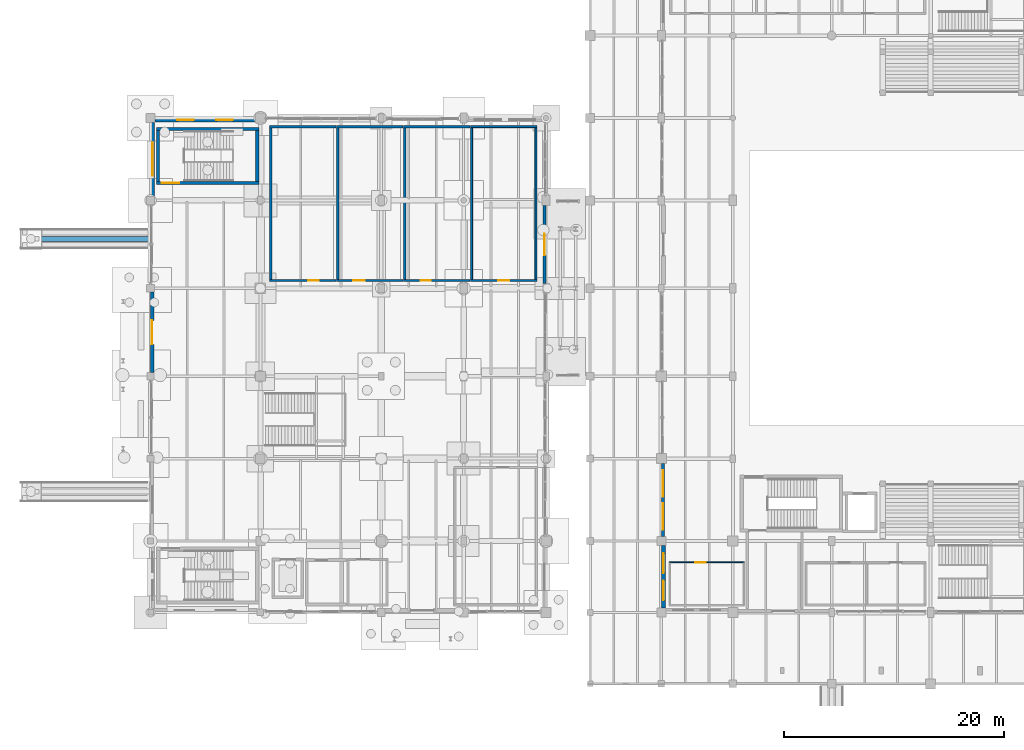
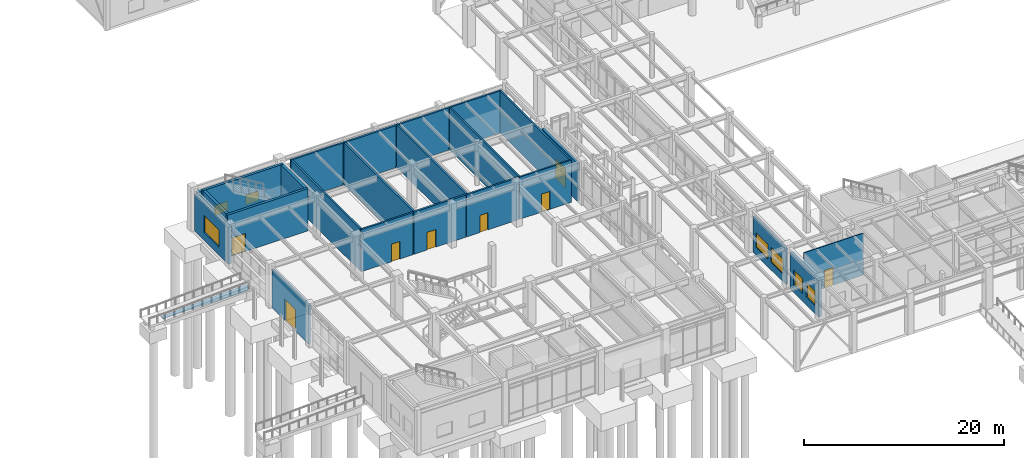
# One storey, part 172 of 203: 25 walls, 8 doors, 7 windows, 15 openings.
"""IFC4 building model written with IfcOpenShell, lengths in metres."""

from ifc_helpers import new_model, si_unit, direction, frame, frame_2d, origin, place, context, subcontext, project, spatial, polyline, rectangle, outline, extrude, material, layer, layer_set, type_object, element, fill, save


model = new_model("IFC4")

# Units and contexts
model_context = context("Model", 3, precision=1e-05, world=origin(), true_north=direction((0.0, 1.0)))
body_context = subcontext(model_context, "Body", "Model", "MODEL_VIEW")
ifc_project = project(units=[si_unit("LENGTHUNIT", "METRE"), si_unit("AREAUNIT", "SQUARE_METRE"), si_unit("VOLUMEUNIT", "CUBIC_METRE"), si_unit("PLANEANGLEUNIT", "RADIAN"), si_unit("MASSUNIT", "GRAM", prefix="KILO"), si_unit("THERMODYNAMICTEMPERATUREUNIT", "KELVIN"), si_unit("POWERUNIT", "WATT")], contexts=[model_context])

# Site, building, storey
site_placement = place(None, origin())
site = spatial("IfcSite", under=ifc_project, at=site_placement, CompositionType="ELEMENT")
building_placement = place(site_placement, origin())
building = spatial("IfcBuilding", under=site, at=building_placement, Name="Tepalcoro Natatorium and Aquatics Centre", CompositionType="ELEMENT")
storey_placement = place(building_placement, origin())
storey = spatial("IfcBuildingStorey", under=building, at=storey_placement, Name="L00", CompositionType="ELEMENT", Elevation=0.0)

# Wall, openings, windows
ifc_material_1 = material(Name="Precast Concrete C45/55 (fc 45 MPa)", Category="concrete")
ifc_layer_1 = layer(ifc_material_1, 0.260009765625)
ifc_layer_set_1 = layer_set([ifc_layer_1], Name="Precast Concrete C45/55 (fc 45 MPa)")
wall_type_1 = type_object("IfcWallType", Name="WL_EXT_GABLE_260", PredefinedType="SOLIDWALL", material=ifc_layer_set_1)
wall_1_placement = place(storey_placement, frame((46.6298828125, 13.428955078125, 0.0), z_axis=(0.0, 0.0, 1.0), x_axis=(0.0, 1.0, 0.0)))
wall_1 = element("IfcWall", 1, at=wall_1_placement, inside=storey, type_object=wall_type_1, Name="V1 L00 W Volcanic Basalt Envelope Wall", PredefinedType="SOLIDWALL", context=body_context, shape_type="SweptSolid", body=[
    extrude(rectangle(XDim=6.616943359375, YDim=0.260009765625, at=frame_2d((3.30859375, 0.0))), origin(), (0.0, 0.0, 1.0), 4.368896484375),
])
opening_1_placement = place(wall_1_placement, frame((0.605712890625, 0.0, 0.949951171875)))
opening_1 = element("IfcOpeningElement", 2, at=opening_1_placement, cuts=wall_1, Name="Opening W0008A", PredefinedType="OPENING", context=body_context, shape_type="SweptSolid", body=[
    extrude(rectangle(XDim=2.39990234375, YDim=1.800048828125, at=frame_2d((1.199951171875, 0.89990234375))), frame((0.0, 0.14208984375, 0.0), z_axis=(0.0, -1.0, 0.0), x_axis=(1.0, 0.0, 0.0)), (0.0, 0.0, 1.0), 0.283935546875),
])
opening_2_placement = place(wall_1_placement, frame((3.611328125, 0.0, 0.949951171875)))
opening_2 = element("IfcOpeningElement", 3, at=opening_2_placement, cuts=wall_1, Name="Opening W0008B", PredefinedType="OPENING", context=body_context, shape_type="SweptSolid", body=[
    extrude(rectangle(XDim=2.39990234375, YDim=1.800048828125, at=frame_2d((1.199951171875, 0.89990234375))), frame((0.0, 0.14208984375, 0.0), z_axis=(0.0, -1.0, 0.0), x_axis=(1.0, 0.0, 0.0)), (0.0, 0.0, 1.0), 0.283935546875),
])
ifc_material_2 = material(Name="Solar-Control Bronze Tempered Low-E Double Glazing", Category="glass")
window_type_1 = type_object("IfcWindowType", Name="WN_240x180", PartitioningType="SINGLE_PANEL", PredefinedType="WINDOW", material=ifc_material_2)
window_1_placement = place(opening_1_placement, origin())
window_1 = element("IfcWindow", 4, at=window_1_placement, inside=storey, type_object=window_type_1, Name="Exterior Thermal Window WN_240x180", OverallHeight=1.800048828125, OverallWidth=2.39990234375, PartitioningType="SINGLE_PANEL", PredefinedType="WINDOW", context=body_context, shape_type="SweptSolid", body=[
    extrude(rectangle(XDim=2.39990234375, YDim=1.800048828125, at=frame_2d((1.199951171875, 0.89990234375))), frame((0.0, 0.030029296875, 0.0), z_axis=(0.0, -1.0, 0.0), x_axis=(1.0, 0.0, 0.0)), (0.0, 0.0, 1.0), 0.06005859375),
])
fill(opening_1, window_1)
window_2_placement = place(opening_2_placement, origin())
window_2 = element("IfcWindow", 5, at=window_2_placement, inside=storey, type_object=window_type_1, Name="Exterior Thermal Window WN_240x180", OverallHeight=1.800048828125, OverallWidth=2.39990234375, PartitioningType="SINGLE_PANEL", PredefinedType="WINDOW", context=body_context, shape_type="SweptSolid", body=[
    extrude(rectangle(XDim=2.39990234375, YDim=1.800048828125, at=frame_2d((1.199951171875, 0.89990234375))), frame((0.0, 0.030029296875, 0.0), z_axis=(0.0, -1.0, 0.0), x_axis=(1.0, 0.0, 0.0)), (0.0, 0.0, 1.0), 0.06005859375),
])
fill(opening_2, window_2)

# Wall, opening, door
ifc_layer_2 = layer(ifc_material_1, 0.284912109375)
ifc_layer_set_2 = layer_set([ifc_layer_2], Name="Precast Concrete C45/55 (fc 45 MPa)")
wall_type_2 = type_object("IfcWallType", Name="WL_EXT_INSUL_280", PredefinedType="SOLIDWALL", material=ifc_layer_set_2)
wall_2_placement = place(storey_placement, frame((35.857421875, 36.4541015625, 0.0), z_axis=(0.0, 0.0, 1.0), x_axis=(0.0, 1.0, 0.0)))
wall_2 = element("IfcWall", 6, at=wall_2_placement, inside=storey, type_object=wall_type_2, Name="V3 L00 E Volcanic Basalt Envelope Wall", PredefinedType="SOLIDWALL", context=body_context, shape_type="SweptSolid", body=[
    extrude(rectangle(XDim=7.06689453125, YDim=0.284912109375, at=frame_2d((3.533447265625, 0.0))), origin(), (0.0, 0.0, 1.0), 4.593994140625),
])
opening_3_placement = place(wall_2_placement, frame((2.533447265625, 0.0, 0.0)))
opening_3 = element("IfcOpeningElement", 7, at=opening_3_placement, cuts=wall_2, Name="Opening ED5028", PredefinedType="OPENING", context=body_context, shape_type="SweptSolid", body=[
    extrude(rectangle(XDim=2.0, YDim=2.39990234375, at=frame_2d((1.0, 1.199951171875))), frame((0.0, 0.154296875, 0.0), z_axis=(0.0, -1.0, 0.0), x_axis=(1.0, 0.0, 0.0)), (0.0, 0.0, 1.0), 0.308837890625),
])
ifc_material_3 = material(Name="Bronze-Anodised Extruded Aluminium Alloy EN AW-6063 T6", Category="aluminium")
door_type_1 = type_object("IfcDoorType", Name="DR_200x240_EXT", OperationType="NOTDEFINED", PredefinedType="DOOR", material=ifc_material_3)
door_1_placement = place(opening_3_placement, frame((2.0, 0.0, 0.0), z_axis=(0.0, 0.0, 1.0), x_axis=(-1.0, 0.0, 0.0)))
door_1 = element("IfcDoor", 8, at=door_1_placement, inside=storey, type_object=door_type_1, Name="V3 L00 East Link Portal", OperationType="DOUBLE_DOOR_SINGLE_SWING", OverallHeight=2.39990234375, OverallWidth=2.0, PredefinedType="DOOR", context=body_context, shape_type="SweptSolid", body=[
    extrude(rectangle(XDim=2.0, YDim=2.39990234375, at=frame_2d((1.0, 1.199951171875))), frame((0.0, 0.02490234375, 0.0), z_axis=(0.0, -1.0, 0.0), x_axis=(1.0, 0.0, 0.0)), (0.0, 0.0, 1.0), 0.050048828125),
])
fill(opening_3, door_1)

# Wall, openings, windows
ifc_material_4 = material(Name="Volcanic Recinto Basalt Ashlar Masonry", Category="masonry")
ifc_layer_3 = layer(ifc_material_4, 0.360107421875)
ifc_layer_set_3 = layer_set([ifc_layer_3], Name="Volcanic Recinto Basalt Ashlar Masonry")
wall_type_3 = type_object("IfcWallType", Name="WL_EXT_STONE_350", PredefinedType="SOLIDWALL", material=ifc_layer_set_3)
wall_3_placement = place(storey_placement, frame((46.679931640625, 6.904052734375, 0.0), z_axis=(0.0, 0.0, 1.0), x_axis=(0.0, 1.0, 0.0)))
wall_3 = element("IfcWall", 9, at=wall_3_placement, inside=storey, type_object=wall_type_3, Name="V1 L00 W Volcanic Basalt Envelope Wall", PredefinedType="SOLIDWALL", context=body_context, shape_type="SweptSolid", body=[
    extrude(rectangle(XDim=5.6669921875, YDim=0.360107421875, at=frame_2d((2.83349609375, 0.0))), origin(), (0.0, 0.0, 1.0), 4.452880859375),
])
opening_4_placement = place(wall_3_placement, frame((0.68896484375, 0.0, 0.949951171875)))
opening_4 = element("IfcOpeningElement", 10, at=opening_4_placement, cuts=wall_3, Name="Opening W0007A", PredefinedType="OPENING", context=body_context, shape_type="SweptSolid", body=[
    extrude(rectangle(XDim=1.800048828125, YDim=1.800048828125, at=frame_2d((0.89990234375, 0.89990234375))), frame((0.0, 0.19189453125, 0.0), z_axis=(0.0, -1.0, 0.0), x_axis=(1.0, 0.0, 0.0)), (0.0, 0.0, 1.0), 0.384033203125),
])
opening_5_placement = place(wall_3_placement, frame((3.177978515625, 0.0, 0.949951171875)))
opening_5 = element("IfcOpeningElement", 11, at=opening_5_placement, cuts=wall_3, Name="Opening W0007B", PredefinedType="OPENING", context=body_context, shape_type="SweptSolid", body=[
    extrude(rectangle(XDim=1.800048828125, YDim=1.800048828125, at=frame_2d((0.89990234375, 0.89990234375))), frame((0.0, 0.19189453125, 0.0), z_axis=(0.0, -1.0, 0.0), x_axis=(1.0, 0.0, 0.0)), (0.0, 0.0, 1.0), 0.384033203125),
])
window_type_2 = type_object("IfcWindowType", Name="WN_180x180", PartitioningType="SINGLE_PANEL", PredefinedType="WINDOW", material=ifc_material_2)
window_3_placement = place(opening_4_placement, origin())
window_3 = element("IfcWindow", 12, at=window_3_placement, inside=storey, type_object=window_type_2, Name="Exterior Thermal Window WN_180x180", OverallHeight=1.800048828125, OverallWidth=1.800048828125, PartitioningType="SINGLE_PANEL", PredefinedType="WINDOW", context=body_context, shape_type="SweptSolid", body=[
    extrude(rectangle(XDim=1.800048828125, YDim=1.800048828125, at=frame_2d((0.89990234375, 0.89990234375))), frame((0.0, 0.030029296875, 0.0), z_axis=(0.0, -1.0, 0.0), x_axis=(1.0, 0.0, 0.0)), (0.0, 0.0, 1.0), 0.06005859375),
])
fill(opening_4, window_3)
window_4_placement = place(opening_5_placement, origin())
window_4 = element("IfcWindow", 13, at=window_4_placement, inside=storey, type_object=window_type_2, Name="Exterior Thermal Window WN_180x180", OverallHeight=1.800048828125, OverallWidth=1.800048828125, PartitioningType="SINGLE_PANEL", PredefinedType="WINDOW", context=body_context, shape_type="SweptSolid", body=[
    extrude(rectangle(XDim=1.800048828125, YDim=1.800048828125, at=frame_2d((0.89990234375, 0.89990234375))), frame((0.0, 0.030029296875, 0.0), z_axis=(0.0, -1.0, 0.0), x_axis=(1.0, 0.0, 0.0)), (0.0, 0.0, 1.0), 0.06005859375),
])
fill(opening_5, window_4)

wall_4_placement = place(storey_placement, frame((0.404052734375, 51.320068359375, 0.0), z_axis=(0.0, 0.0, 1.0), x_axis=(1.0, 0.0, 0.0)))
wall_4 = element("IfcWall", 14, at=wall_4_placement, inside=storey, type_object=wall_type_3, Name="V3 L00 N Volcanic Basalt Envelope Wall", PredefinedType="SOLIDWALL", context=body_context, shape_type="SweptSolid", body=[
    extrude(rectangle(XDim=9.141845703125, YDim=0.360107421875, at=frame_2d((4.57080078125, 0.0))), origin(), (0.0, 0.0, 1.0), 4.51806640625),
])
opening_6_placement = place(wall_4_placement, frame((2.04736328125, 0.0, 0.949951171875)))
opening_6 = element("IfcOpeningElement", 15, at=opening_6_placement, cuts=wall_4, Name="Opening W0055A", PredefinedType="OPENING", context=body_context, shape_type="SweptSolid", body=[
    extrude(rectangle(XDim=1.5, YDim=1.199951171875, at=frame_2d((0.75, 0.60009765625))), frame((0.0, 0.19189453125, 0.0), z_axis=(0.0, -1.0, 0.0), x_axis=(1.0, 0.0, 0.0)), (0.0, 0.0, 1.0), 0.384033203125),
])
opening_7_placement = place(wall_4_placement, frame((5.5947265625, 0.0, 0.949951171875)))
opening_7 = element("IfcOpeningElement", 16, at=opening_7_placement, cuts=wall_4, Name="Opening W0055B", PredefinedType="OPENING", context=body_context, shape_type="SweptSolid", body=[
    extrude(rectangle(XDim=1.5, YDim=1.199951171875, at=frame_2d((0.75, 0.60009765625))), frame((0.0, 0.19189453125, 0.0), z_axis=(0.0, -1.0, 0.0), x_axis=(1.0, 0.0, 0.0)), (0.0, 0.0, 1.0), 0.384033203125),
])
window_type_3 = type_object("IfcWindowType", Name="WN_150x120", PartitioningType="SINGLE_PANEL", PredefinedType="WINDOW", material=ifc_material_2)
window_5_placement = place(opening_6_placement, origin())
window_5 = element("IfcWindow", 17, at=window_5_placement, inside=storey, type_object=window_type_3, Name="Exterior Thermal Window WN_150x120", OverallHeight=1.199951171875, OverallWidth=1.5, PartitioningType="SINGLE_PANEL", PredefinedType="WINDOW", context=body_context, shape_type="SweptSolid", body=[
    extrude(rectangle(XDim=1.5, YDim=1.199951171875, at=frame_2d((0.75, 0.60009765625))), frame((0.0, 0.030029296875, 0.0), z_axis=(0.0, -1.0, 0.0), x_axis=(1.0, 0.0, 0.0)), (0.0, 0.0, 1.0), 0.06005859375),
])
fill(opening_6, window_5)
window_6_placement = place(opening_7_placement, origin())
window_6 = element("IfcWindow", 18, at=window_6_placement, inside=storey, type_object=window_type_3, Name="Exterior Thermal Window WN_150x120", OverallHeight=1.199951171875, OverallWidth=1.5, PartitioningType="SINGLE_PANEL", PredefinedType="WINDOW", context=body_context, shape_type="SweptSolid", body=[
    extrude(rectangle(XDim=1.5, YDim=1.199951171875, at=frame_2d((0.75, 0.60009765625))), frame((0.0, 0.030029296875, 0.0), z_axis=(0.0, -1.0, 0.0), x_axis=(1.0, 0.0, 0.0)), (0.0, 0.0, 1.0), 0.06005859375),
])
fill(opening_7, window_6)

# Wall, opening, window
wall_5_placement = place(storey_placement, frame((0.179931640625, 44.37890625, 0.0), z_axis=(0.0, 0.0, 1.0), x_axis=(0.0, 1.0, 0.0)))
wall_5 = element("IfcWall", 19, at=wall_5_placement, inside=storey, type_object=wall_type_3, Name="V3 L00 W Volcanic Basalt Envelope Wall", PredefinedType="SOLIDWALL", context=body_context, shape_type="SweptSolid", body=[
    extrude(rectangle(XDim=6.717041015625, YDim=0.360107421875, at=frame_2d((3.3583984375, 0.0))), origin(), (0.0, 0.0, 1.0), 4.51806640625),
])
opening_8_placement = place(wall_5_placement, frame((1.8583984375, 0.0, 0.949951171875)))
opening_8 = element("IfcOpeningElement", 20, at=opening_8_placement, cuts=wall_5, Name="Opening W0058", PredefinedType="OPENING", context=body_context, shape_type="SweptSolid", body=[
    extrude(rectangle(XDim=3.0, YDim=2.10009765625, at=frame_2d((1.5, 1.050048828125))), frame((0.0, 0.19189453125, 0.0), z_axis=(0.0, -1.0, 0.0), x_axis=(1.0, 0.0, 0.0)), (0.0, 0.0, 1.0), 0.384033203125),
])
window_type_4 = type_object("IfcWindowType", Name="WN_300x210", PartitioningType="SINGLE_PANEL", PredefinedType="WINDOW", material=ifc_material_2)
window_7_placement = place(opening_8_placement, origin())
window_7 = element("IfcWindow", 21, at=window_7_placement, inside=storey, type_object=window_type_4, Name="Exterior Thermal Window WN_300x210", OverallHeight=2.10009765625, OverallWidth=3.0, PartitioningType="SINGLE_PANEL", PredefinedType="WINDOW", context=body_context, shape_type="SweptSolid", body=[
    extrude(rectangle(XDim=3.0, YDim=2.10009765625, at=frame_2d((1.5, 1.050048828125))), frame((0.0, 0.030029296875, 0.0), z_axis=(0.0, -1.0, 0.0), x_axis=(1.0, 0.0, 0.0)), (0.0, 0.0, 1.0), 0.06005859375),
])
fill(opening_8, window_7)

# Wall, opening, door
ifc_material_5 = material(Name="Jalisco Cantera Rosa Volcanic Tuff Ashlar Masonry", Category="masonry")
ifc_layer_4 = layer(ifc_material_5, 0.304931640625)
ifc_layer_set_4 = layer_set([ifc_layer_4], Name="Jalisco Cantera Rosa Volcanic Tuff Ashlar Masonry")
wall_type_4 = type_object("IfcWallType", Name="WL_EXT_TERRACOTTA_300", PredefinedType="SOLIDWALL", material=ifc_layer_set_4)
wall_6_placement = place(storey_placement, frame((0.152587890625, 28.3291015625, 0.0), z_axis=(0.0, 0.0, 1.0), x_axis=(0.0, 1.0, 0.0)))
wall_6 = element("IfcWall", 22, at=wall_6_placement, inside=storey, type_object=wall_type_4, Name="V3 L00 W Volcanic Basalt Envelope Wall", PredefinedType="SOLIDWALL", context=body_context, shape_type="SweptSolid", body=[
    extrude(rectangle(XDim=7.31689453125, YDim=0.304931640625, at=frame_2d((3.658447265625, 0.0))), origin(), (0.0, 0.0, 1.0), 4.669921875),
])
opening_9_placement = place(wall_6_placement, frame((2.55859375, 0.0, 0.0)))
opening_9 = element("IfcOpeningElement", 23, at=opening_9_placement, cuts=wall_6, Name="Opening ED5027", PredefinedType="OPENING", context=body_context, shape_type="SweptSolid", body=[
    extrude(rectangle(XDim=2.199951171875, YDim=2.60009765625, at=frame_2d((1.10009765625, 1.300048828125))), frame((0.0, 0.16455078125, 0.0), z_axis=(0.0, -1.0, 0.0), x_axis=(1.0, 0.0, 0.0)), (0.0, 0.0, 1.0), 0.328857421875),
])
door_type_2 = type_object("IfcDoorType", Name="DR_220x260_EXT", OperationType="NOTDEFINED", PredefinedType="DOOR", material=ifc_material_3)
door_2_placement = place(opening_9_placement, origin())
door_2 = element("IfcDoor", 24, at=door_2_placement, inside=storey, type_object=door_type_2, Name="West Thermal Bathhouse Portal", OperationType="DOUBLE_DOOR_SINGLE_SWING", OverallHeight=2.60009765625, OverallWidth=2.199951171875, PredefinedType="DOOR", context=body_context, shape_type="SweptSolid", body=[
    extrude(rectangle(XDim=2.199951171875, YDim=2.60009765625, at=frame_2d((1.10009765625, 1.300048828125))), frame((0.0, 0.02490234375, 0.0), z_axis=(0.0, -1.0, 0.0), x_axis=(1.0, 0.0, 0.0)), (0.0, 0.0, 1.0), 0.050048828125),
])
fill(opening_9, door_2)

ifc_material_6 = material(Name="Moisture-Resistant Acoustic Gypsum Drywall on Cold-Formed Metal Studs")
ifc_layer_5 = layer(ifc_material_6, 0.10009765625)
ifc_layer_set_5 = layer_set([ifc_layer_5], Name="Moisture-Resistant Acoustic Gypsum Drywall on Cold-Formed Metal Studs")
wall_type_5 = type_object("IfcWallType", Name="WL_PART_100", PredefinedType="PARTITIONING", material=ifc_layer_set_5)
wall_7_placement = place(storey_placement, frame((47.199951171875, 11.050048828125, 0.0), z_axis=(0.0, 0.0, 1.0), x_axis=(1.0, 0.0, 0.0)))
wall_7 = element("IfcWall", 25, at=wall_7_placement, inside=storey, type_object=wall_type_5, Name="World Aquatics Swimmer Call Room & Ready Suite Partition N", PredefinedType="PARTITIONING", context=body_context, shape_type="SweptSolid", body=[
    extrude(rectangle(XDim=6.85009765625, YDim=0.10009765625, at=frame_2d((3.425048828125, 0.0))), origin(), (0.0, 0.0, 1.0), 5.125),
])
opening_10_placement = place(wall_7_placement, frame((2.3740234375, 0.0, 0.0)))
opening_10 = element("IfcOpeningElement", 26, at=opening_10_placement, cuts=wall_7, Name="Opening D0073", PredefinedType="OPENING", context=body_context, shape_type="SweptSolid", body=[
    extrude(rectangle(XDim=0.949951171875, YDim=2.14990234375, at=frame_2d((0.47509765625, 1.074951171875))), frame((0.0, 0.06201171875, 0.0), z_axis=(0.0, -1.0, 0.0), x_axis=(1.0, 0.0, 0.0)), (0.0, 0.0, 1.0), 0.1240234375),
])
ifc_material_7 = material(Name="Solid-Core Moisture-Sealed Oak Timber Leaf in Aluminium Frame", Category="wood")
door_type_3 = type_object("IfcDoorType", Name="DR_095x215_OFFICE", OperationType="NOTDEFINED", PredefinedType="DOOR", material=ifc_material_7)
door_3_placement = place(opening_10_placement, frame((0.949951171875, 0.0, 0.0), z_axis=(0.0, 0.0, 1.0), x_axis=(-1.0, 0.0, 0.0)))
door_3 = element("IfcDoor", 27, at=door_3_placement, inside=storey, type_object=door_type_3, Name="World Aquatics Swimmer Call Room & Ready Suite Door", OperationType="SINGLE_SWING_LEFT", OverallHeight=2.14990234375, OverallWidth=0.949951171875, PredefinedType="DOOR", context=body_context, shape_type="SweptSolid", body=[
    extrude(rectangle(XDim=0.949951171875, YDim=2.14990234375, at=frame_2d((0.47509765625, 1.074951171875))), frame((0.0, 0.02490234375, 0.0), z_axis=(0.0, -1.0, 0.0), x_axis=(1.0, 0.0, 0.0)), (0.0, 0.0, 1.0), 0.050048828125),
])
fill(opening_10, door_3)

ifc_layer_6 = layer(ifc_material_6, 0.179931640625)
ifc_layer_set_6 = layer_set([ifc_layer_6], Name="Moisture-Resistant Acoustic Gypsum Drywall on Cold-Formed Metal Studs")
wall_type_6 = type_object("IfcWallType", Name="WL_PART_180_AC", PredefinedType="PARTITIONING", material=ifc_layer_set_6)
wall_8_placement = place(storey_placement, frame((29.139892578125, 36.68994140625, 0.0), z_axis=(0.0, 0.0, 1.0), x_axis=(1.0, 0.0, 0.0)))
wall_8 = element("IfcWall", 28, at=wall_8_placement, inside=storey, type_object=wall_type_6, Name="Stroller, Cycle & Mobility Scooter Store Partition S", PredefinedType="PARTITIONING", context=body_context, shape_type="SweptSolid", body=[
    extrude(rectangle(XDim=6.02001953125, YDim=0.179931640625, at=frame_2d((3.010009765625, 0.0))), origin(), (0.0, 0.0, 1.0), 5.14501953125),
])
opening_11_placement = place(wall_8_placement, frame((2.510009765625, 0.0, 0.0)))
opening_11 = element("IfcOpeningElement", 29, at=opening_11_placement, cuts=wall_8, Name="Opening D0096", PredefinedType="OPENING", context=body_context, shape_type="SweptSolid", body=[
    extrude(rectangle(XDim=1.0, YDim=2.199951171875, at=frame_2d((0.5, 1.10009765625))), frame((0.0, 0.10205078125, 0.0), z_axis=(0.0, -1.0, 0.0), x_axis=(1.0, 0.0, 0.0)), (0.0, 0.0, 1.0), 0.203857421875),
])
ifc_material_8 = material(Name="Galvanised Steel Insulated Acoustic Fire Door Assembly", Category="steel")
door_type_4 = type_object("IfcDoorType", Name="DR_100x220_FD60", OperationType="NOTDEFINED", PredefinedType="DOOR", material=ifc_material_8)
door_4_placement = place(opening_11_placement, origin())
door_4 = element("IfcDoor", 30, at=door_4_placement, inside=storey, type_object=door_type_4, Name="Stroller, Cycle & Mobility Scooter Store Door", OperationType="SINGLE_SWING_RIGHT", OverallHeight=2.199951171875, OverallWidth=1.0, PredefinedType="DOOR", context=body_context, shape_type="SweptSolid", body=[
    extrude(rectangle(XDim=1.0, YDim=2.199951171875, at=frame_2d((0.5, 1.10009765625))), frame((0.0, 0.02490234375, 0.0), z_axis=(0.0, -1.0, 0.0), x_axis=(1.0, 0.0, 0.0)), (0.0, 0.0, 1.0), 0.050048828125),
])
fill(opening_11, door_4)

# Walls
wall_9_placement = place(storey_placement, frame((29.139892578125, 50.7099609375, 0.0), z_axis=(0.0, 0.0, 1.0), x_axis=(1.0, 0.0, 0.0)))
element("IfcWall", 31, at=wall_9_placement, inside=storey, type_object=wall_type_6, Name="Stroller, Cycle & Mobility Scooter Store Partition N", PredefinedType="PARTITIONING", context=body_context, shape_type="SweptSolid", body=[
    extrude(rectangle(XDim=6.02001953125, YDim=0.179931640625, at=frame_2d((3.010009765625, 0.0))), origin(), (0.0, 0.0, 1.0), 5.14501953125),
])
for number, where, z_axis, x_axis, name in (
    (32, (35.070068359375, 36.780029296875, 0.0), (0.0, 0.0, 1.0), (0.0, 1.0, 0.0), "Stroller, Cycle & Mobility Scooter Store Partition E"),
    (33, (29.22998046875, 36.780029296875, 0.0), (0.0, 0.0, 1.0), (0.0, 1.0, 0.0), "Stroller, Cycle & Mobility Scooter Store Partition W"),
):
    element("IfcWall", number, at=place(storey_placement, frame(where, z_axis=z_axis, x_axis=x_axis)), inside=storey, type_object=wall_type_6, Name=name, PredefinedType="PARTITIONING", context=body_context, shape_type="SweptSolid", body=[
        extrude(rectangle(XDim=13.840087890625, YDim=0.179931640625, at=frame_2d((6.919921875, 0.0))), origin(), (0.0, 0.0, 1.0), 5.14501953125),
    ])

# Wall, opening, door
ifc_material_9 = material(Name="Ceramic-Tiled Moisture-Resistant Masonry Blockwork", Category="masonry")
ifc_layer_7 = layer(ifc_material_9, 0.199951171875)
ifc_layer_set_7 = layer_set([ifc_layer_7], Name="Ceramic-Tiled Moisture-Resistant Masonry Blockwork")
wall_type_7 = type_object("IfcWallType", Name="WL_PLUMB_200", PredefinedType="PLUMBINGWALL", material=ifc_layer_set_7)
wall_10_placement = place(storey_placement, frame((10.840087890625, 36.699951171875, 0.0), z_axis=(0.0, 0.0, 1.0), x_axis=(1.0, 0.0, 0.0)))
wall_10 = element("IfcWall", 34, at=wall_10_placement, inside=storey, type_object=wall_type_7, Name="Thermal Mineral Bathhouse Changing & Lockers Partition S", PredefinedType="PLUMBINGWALL", context=body_context, shape_type="SweptSolid", body=[
    extrude(rectangle(XDim=6.02001953125, YDim=0.199951171875, at=frame_2d((3.010009765625, 0.0))), origin(), (0.0, 0.0, 1.0), 5.14501953125),
])
opening_12_placement = place(wall_10_placement, frame((3.527587890625, 0.0, 0.0)))
opening_12 = element("IfcOpeningElement", 35, at=opening_12_placement, cuts=wall_10, Name="Opening D0093", PredefinedType="OPENING", context=body_context, shape_type="SweptSolid", body=[
    extrude(rectangle(XDim=0.949951171875, YDim=2.14990234375, at=frame_2d((0.47509765625, 1.074951171875))), frame((0.0, 0.11181640625, 0.0), z_axis=(0.0, -1.0, 0.0), x_axis=(1.0, 0.0, 0.0)), (0.0, 0.0, 1.0), 0.223876953125),
])
door_5_placement = place(opening_12_placement, origin())
door_5 = element("IfcDoor", 36, at=door_5_placement, inside=storey, type_object=door_type_3, Name="Thermal Mineral Bathhouse Changing & Lockers Door", OperationType="SINGLE_SWING_LEFT", OverallHeight=2.14990234375, OverallWidth=0.949951171875, PredefinedType="DOOR", context=body_context, shape_type="SweptSolid", body=[
    extrude(rectangle(XDim=0.949951171875, YDim=2.14990234375, at=frame_2d((0.47509765625, 1.074951171875))), frame((0.0, 0.02490234375, 0.0), z_axis=(0.0, -1.0, 0.0), x_axis=(1.0, 0.0, 0.0)), (0.0, 0.0, 1.0), 0.050048828125),
])
fill(opening_12, door_5)

# Walls
wall_11_placement = place(storey_placement, frame((10.840087890625, 50.699951171875, 0.0), z_axis=(0.0, 0.0, 1.0), x_axis=(1.0, 0.0, 0.0)))
element("IfcWall", 37, at=wall_11_placement, inside=storey, type_object=wall_type_7, Name="Thermal Mineral Bathhouse Changing & Lockers Partition N", PredefinedType="PLUMBINGWALL", context=body_context, shape_type="SweptSolid", body=[
    extrude(rectangle(XDim=6.02001953125, YDim=0.199951171875, at=frame_2d((3.010009765625, 0.0))), origin(), (0.0, 0.0, 1.0), 5.14501953125),
])
wall_12_placement = place(storey_placement, frame((10.93994140625, 36.800048828125, 0.0), z_axis=(0.0, 0.0, 1.0), x_axis=(0.0, 1.0, 0.0)))
element("IfcWall", 38, at=wall_12_placement, inside=storey, type_object=wall_type_7, Name="Thermal Mineral Bathhouse Changing & Lockers Partition W", PredefinedType="PLUMBINGWALL", context=body_context, shape_type="SweptSolid", body=[
    extrude(rectangle(XDim=13.800048828125, YDim=0.199951171875, at=frame_2d((6.89990234375, 0.0))), origin(), (0.0, 0.0, 1.0), 5.14501953125),
])

# Wall, opening, door
wall_13_placement = place(storey_placement, frame((23.0400390625, 36.699951171875, 0.0), z_axis=(0.0, 0.0, 1.0), x_axis=(1.0, 0.0, 0.0)))
wall_13 = element("IfcWall", 39, at=wall_13_placement, inside=storey, type_object=wall_type_7, Name="Public Accessible WC & Family Changing Partition S", PredefinedType="PLUMBINGWALL", context=body_context, shape_type="SweptSolid", body=[
    extrude(rectangle(XDim=6.02001953125, YDim=0.199951171875, at=frame_2d((3.010009765625, 0.0))), origin(), (0.0, 0.0, 1.0), 5.14501953125),
])
opening_13_placement = place(wall_13_placement, frame((1.554931640625, 0.0, 0.0)))
opening_13 = element("IfcOpeningElement", 40, at=opening_13_placement, cuts=wall_13, Name="Opening D0095", PredefinedType="OPENING", context=body_context, shape_type="SweptSolid", body=[
    extrude(rectangle(XDim=0.89990234375, YDim=2.10009765625, at=frame_2d((0.449951171875, 1.050048828125))), frame((0.0, 0.11181640625, 0.0), z_axis=(0.0, -1.0, 0.0), x_axis=(1.0, 0.0, 0.0)), (0.0, 0.0, 1.0), 0.223876953125),
])
door_type_5 = type_object("IfcDoorType", Name="DR_095x215_WC", OperationType="NOTDEFINED", PredefinedType="DOOR", material=ifc_material_7)
door_6_placement = place(opening_13_placement, origin())
door_6 = element("IfcDoor", 41, at=door_6_placement, inside=storey, type_object=door_type_5, Name="Public Accessible WC & Family Changing Door", OperationType="SINGLE_SWING_LEFT", OverallHeight=2.10009765625, OverallWidth=0.89990234375, PredefinedType="DOOR", context=body_context, shape_type="SweptSolid", body=[
    extrude(rectangle(XDim=0.89990234375, YDim=2.10009765625, at=frame_2d((0.449951171875, 1.050048828125))), frame((0.0, 0.02490234375, 0.0), z_axis=(0.0, -1.0, 0.0), x_axis=(1.0, 0.0, 0.0)), (0.0, 0.0, 1.0), 0.050048828125),
])
fill(opening_13, door_6)

# Walls
wall_14_placement = place(storey_placement, frame((23.0400390625, 50.699951171875, 0.0), z_axis=(0.0, 0.0, 1.0), x_axis=(1.0, 0.0, 0.0)))
element("IfcWall", 42, at=wall_14_placement, inside=storey, type_object=wall_type_7, Name="Public Accessible WC & Family Changing Partition N", PredefinedType="PLUMBINGWALL", context=body_context, shape_type="SweptSolid", body=[
    extrude(rectangle(XDim=6.02001953125, YDim=0.199951171875, at=frame_2d((3.010009765625, 0.0))), origin(), (0.0, 0.0, 1.0), 5.14501953125),
])
wall_15_placement = place(storey_placement, frame((23.139892578125, 36.800048828125, 0.0), z_axis=(0.0, 0.0, 1.0), x_axis=(0.0, 1.0, 0.0)))
element("IfcWall", 43, at=wall_15_placement, inside=storey, type_object=wall_type_7, Name="Public Accessible WC & Family Changing Partition W", PredefinedType="PLUMBINGWALL", context=body_context, shape_type="SweptSolid", body=[
    extrude(rectangle(XDim=13.800048828125, YDim=0.199951171875, at=frame_2d((6.89990234375, 0.0))), origin(), (0.0, 0.0, 1.0), 5.14501953125),
])

# Wall, opening, door
ifc_layer_8 = layer(ifc_material_9, 0.219970703125)
ifc_layer_set_8 = layer_set([ifc_layer_8], Name="Ceramic-Tiled Moisture-Resistant Masonry Blockwork")
wall_type_8 = type_object("IfcWallType", Name="WL_PLUMB_220", PredefinedType="PLUMBINGWALL", material=ifc_layer_set_8)
wall_16_placement = place(storey_placement, frame((16.93994140625, 36.7099609375, 0.0), z_axis=(0.0, 0.0, 1.0), x_axis=(1.0, 0.0, 0.0)))
wall_16 = element("IfcWall", 44, at=wall_16_placement, inside=storey, type_object=wall_type_8, Name="Public Male & Female Toilets Partition S", PredefinedType="PLUMBINGWALL", context=body_context, shape_type="SweptSolid", body=[
    extrude(rectangle(XDim=6.02001953125, YDim=0.219970703125, at=frame_2d((3.010009765625, 0.0))), origin(), (0.0, 0.0, 1.0), 5.14501953125),
])
opening_14_placement = place(wall_16_placement, frame((1.517578125, 0.0, 0.0)))
opening_14 = element("IfcOpeningElement", 45, at=opening_14_placement, cuts=wall_16, Name="Opening D0094", PredefinedType="OPENING", context=body_context, shape_type="SweptSolid", body=[
    extrude(rectangle(XDim=1.050048828125, YDim=2.14990234375, at=frame_2d((0.52490234375, 1.074951171875))), frame((0.0, 0.1220703125, 0.0), z_axis=(0.0, -1.0, 0.0), x_axis=(1.0, 0.0, 0.0)), (0.0, 0.0, 1.0), 0.243896484375),
])
door_type_6 = type_object("IfcDoorType", Name="DR_105x215_ACC", OperationType="NOTDEFINED", PredefinedType="DOOR", material=ifc_material_7)
door_7_placement = place(opening_14_placement, origin())
door_7 = element("IfcDoor", 46, at=door_7_placement, inside=storey, type_object=door_type_6, Name="Public Male & Female Toilets Door", OperationType="SINGLE_SWING_RIGHT", OverallHeight=2.14990234375, OverallWidth=1.050048828125, PredefinedType="DOOR", context=body_context, shape_type="SweptSolid", body=[
    extrude(rectangle(XDim=1.050048828125, YDim=2.14990234375, at=frame_2d((0.52490234375, 1.074951171875))), frame((0.0, 0.02490234375, 0.0), z_axis=(0.0, -1.0, 0.0), x_axis=(1.0, 0.0, 0.0)), (0.0, 0.0, 1.0), 0.050048828125),
])
fill(opening_14, door_7)

# Walls
wall_17_placement = place(storey_placement, frame((16.93994140625, 50.68994140625, 0.0), z_axis=(0.0, 0.0, 1.0), x_axis=(1.0, 0.0, 0.0)))
element("IfcWall", 47, at=wall_17_placement, inside=storey, type_object=wall_type_8, Name="Public Male & Female Toilets Partition N", PredefinedType="PLUMBINGWALL", context=body_context, shape_type="SweptSolid", body=[
    extrude(rectangle(XDim=6.02001953125, YDim=0.219970703125, at=frame_2d((3.010009765625, 0.0))), origin(), (0.0, 0.0, 1.0), 5.14501953125),
])
wall_18_placement = place(storey_placement, frame((17.050048828125, 36.820068359375, 0.0), z_axis=(0.0, 0.0, 1.0), x_axis=(0.0, 1.0, 0.0)))
element("IfcWall", 48, at=wall_18_placement, inside=storey, type_object=wall_type_8, Name="Public Male & Female Toilets Partition W", PredefinedType="PLUMBINGWALL", context=body_context, shape_type="SweptSolid", body=[
    extrude(rectangle(XDim=13.760009765625, YDim=0.219970703125, at=frame_2d((6.8798828125, 0.0))), origin(), (0.0, 0.0, 1.0), 5.14501953125),
])
ifc_material_10 = material(Name="Concrete C40/50 (fc 40 MPa)", Category="concrete")
ifc_layer_9 = layer(ifc_material_10, 0.449951171875)
ifc_layer_set_9 = layer_set([ifc_layer_9], Name="Concrete C40/50 (fc 40 MPa)")
wall_type_9 = type_object("IfcWallType", Name="WL_RET_450", PredefinedType="USERDEFINED", material=ifc_layer_set_9)
wall_19_placement = place(storey_placement, frame((-9.919921875, 40.5, -0.699951171875), z_axis=(0.0, 0.0, 1.0), x_axis=(1.0, 0.0, 0.0)))
element("IfcWall", 49, at=wall_19_placement, inside=storey, type_object=wall_type_9, Name="RMP02 Ramp Supporting Stem Wall", ObjectType="RETAINING WALL", PredefinedType="USERDEFINED", context=body_context, shape_type="SweptSolid", body=[
    extrude(outline(polyline([(0.0, 0.0), (9.9150390625, 0.0), (9.9150390625, 0.483154296875), (0.0, 0.025634765625), (0.0, 0.0)])), frame((0.0, 0.22509765625, 0.0), z_axis=(0.0, -1.0, 0.0), x_axis=(1.0, 0.0, 0.0)), (0.0, 0.0, 1.0), 0.449951171875),
])

# Wall, opening, door
ifc_layer_10 = layer(ifc_material_10, 0.280029296875)
ifc_layer_set_10 = layer_set([ifc_layer_10], Name="Concrete C40/50 (fc 40 MPa)")
wall_type_10 = type_object("IfcWallType", Name="WL_SHEAR_280", PredefinedType="SHEAR", material=ifc_layer_set_10)
wall_20_placement = place(storey_placement, frame((0.550048828125, 45.590087890625, 0.0), z_axis=(0.0, 0.0, 1.0), x_axis=(1.0, 0.0, 0.0)))
wall_20 = element("IfcWall", 50, at=wall_20_placement, inside=storey, type_object=wall_type_10, Name="ST06 Core Shear Wall S L00", PredefinedType="SHEAR", context=body_context, shape_type="SweptSolid", body=[
    extrude(rectangle(XDim=9.300048828125, YDim=0.280029296875, at=frame_2d((4.64990234375, 0.0))), origin(), (0.0, 0.0, 1.0), 5.159912109375),
])
opening_15_placement = place(wall_20_placement, frame((0.47998046875, 0.0, 0.0)))
opening_15 = element("IfcOpeningElement", 51, at=opening_15_placement, cuts=wall_20, Name="Opening D0023", PredefinedType="OPENING", context=body_context, shape_type="SweptSolid", body=[
    extrude(rectangle(XDim=1.60009765625, YDim=2.199951171875, at=frame_2d((0.800048828125, 1.10009765625))), frame((0.0, 0.15185546875, 0.0), z_axis=(0.0, -1.0, 0.0), x_axis=(1.0, 0.0, 0.0)), (0.0, 0.0, 1.0), 0.303955078125),
])
door_type_7 = type_object("IfcDoorType", Name="DR_160x220_FD90", OperationType="NOTDEFINED", PredefinedType="DOOR", material=ifc_material_8)
door_8_placement = place(opening_15_placement, frame((1.60009765625, 0.0, 0.0), z_axis=(0.0, 0.0, 1.0), x_axis=(-1.0, 0.0, 0.0)))
door_8 = element("IfcDoor", 52, at=door_8_placement, inside=storey, type_object=door_type_7, Name="ST06 Fire Stair Door (L00)", OperationType="DOUBLE_DOOR_SINGLE_SWING", OverallHeight=2.199951171875, OverallWidth=1.60009765625, PredefinedType="DOOR", context=body_context, shape_type="SweptSolid", body=[
    extrude(rectangle(XDim=1.60009765625, YDim=2.199951171875, at=frame_2d((0.800048828125, 1.10009765625))), frame((0.0, 0.02490234375, 0.0), z_axis=(0.0, -1.0, 0.0), x_axis=(1.0, 0.0, 0.0)), (0.0, 0.0, 1.0), 0.050048828125),
])
fill(opening_15, door_8)

# Walls
wall_21_placement = place(storey_placement, frame((0.550048828125, 50.510009765625, 0.0), z_axis=(0.0, 0.0, 1.0), x_axis=(1.0, 0.0, 0.0)))
element("IfcWall", 53, at=wall_21_placement, inside=storey, type_object=wall_type_10, Name="ST06 Core Shear Wall N L00", PredefinedType="SHEAR", context=body_context, shape_type="SweptSolid", body=[
    extrude(rectangle(XDim=9.300048828125, YDim=0.280029296875, at=frame_2d((4.64990234375, 0.0))), origin(), (0.0, 0.0, 1.0), 5.159912109375),
])
for number, where, z_axis, x_axis, name in (
    (54, (0.68994140625, 45.72998046875, 0.0), (0.0, 0.0, 1.0), (0.0, 1.0, 0.0), "ST06 Core Shear Wall W L00"),
    (55, (9.7099609375, 45.72998046875, 0.0), (0.0, 0.0, 1.0), (0.0, 1.0, 0.0), "ST06 Core Shear Wall E L00"),
):
    element("IfcWall", number, at=place(storey_placement, frame(where, z_axis=z_axis, x_axis=x_axis)), inside=storey, type_object=wall_type_10, Name=name, PredefinedType="SHEAR", context=body_context, shape_type="SweptSolid", body=[
        extrude(rectangle(XDim=4.64013671875, YDim=0.280029296875, at=frame_2d((2.320068359375, 0.0))), origin(), (0.0, 0.0, 1.0), 5.159912109375),
    ])

save(model, "model.ifc")
